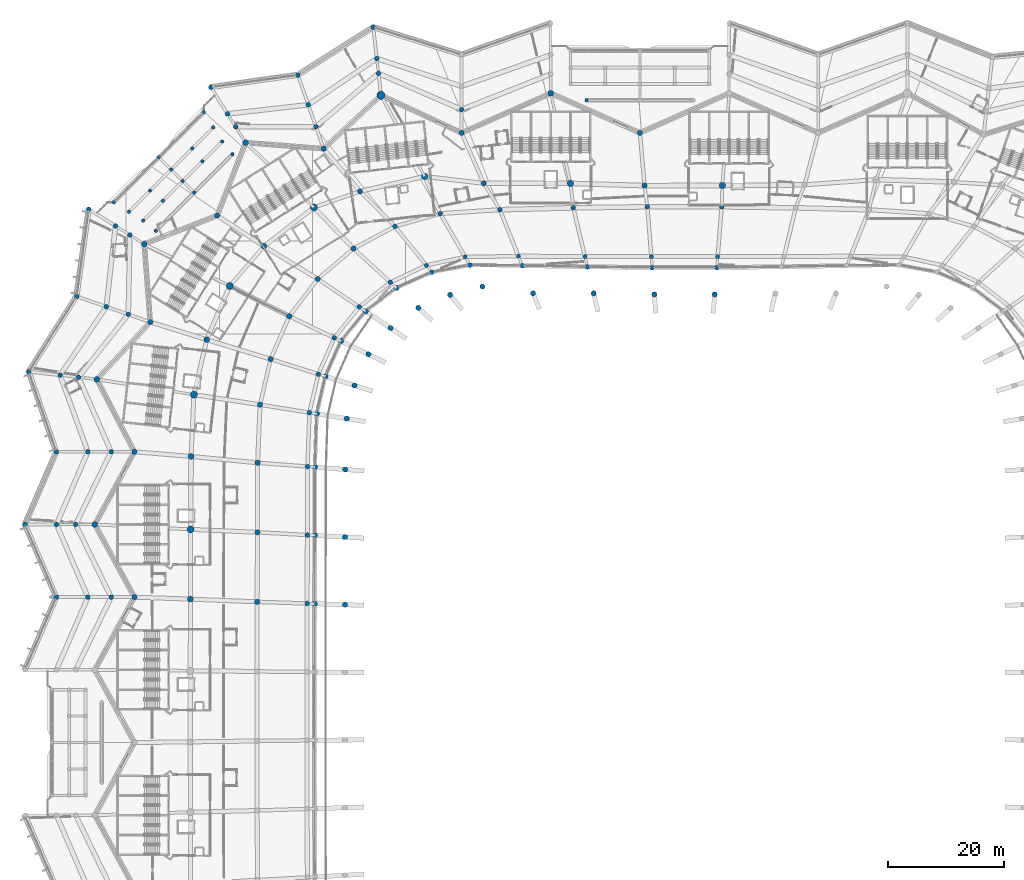
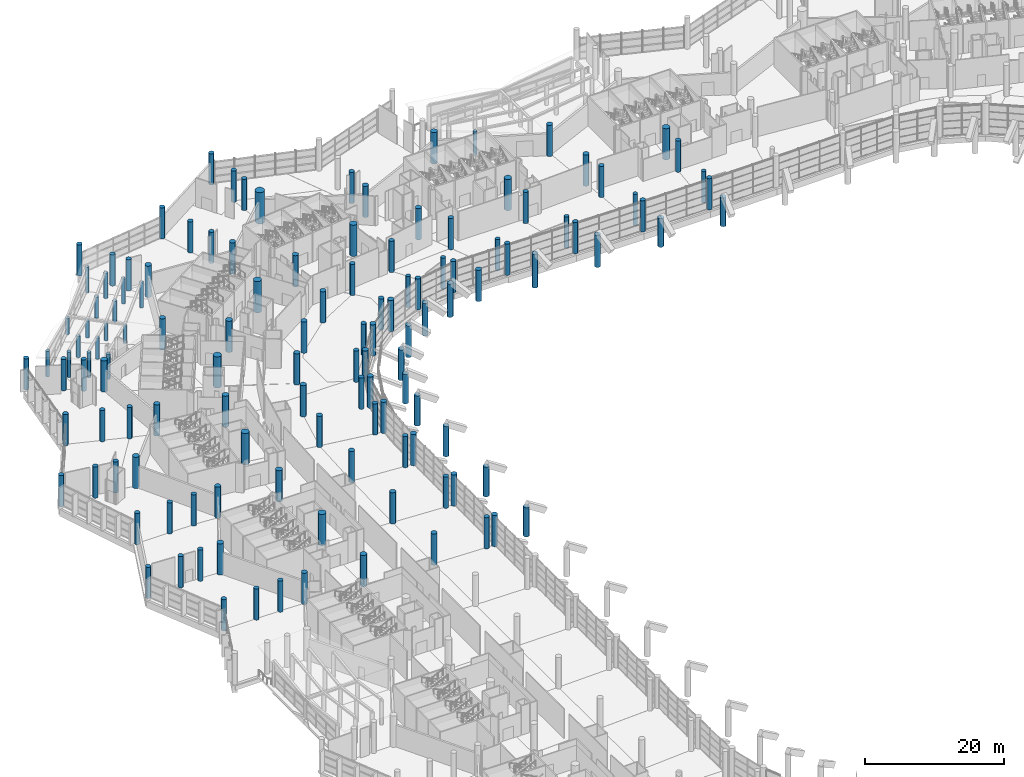
# One storey, part 5 of 271: 128 columns.
"""IFC4 building model written with IfcOpenShell, lengths in metres."""

import ifcopenshell
import ifcopenshell.guid

model = None  # the IFC model being written
_history = None  # IfcOwnerHistory: only IFC2X3 demands one
_inside = {}  # id of a spatial element -> (the spatial element, [elements in it])
_under = {}  # id of a project, library or spatial element -> (it, [spatial elements below it])
_declared = {}  # id of a project -> (the project, [libraries it declares])
_typed = {}  # id of a type object -> (the type object, [elements of that type])
_made_of = {}  # id of a material, layer set ... -> (it, [elements and type objects made of it])


def new_model(schema):
    """Start an empty IFC model of exactly this schema.

    Asked for "IFC4X3", IfcOpenShell would pick the latest addendum, in which some entities
    have other attributes; the version numbers below select the first issue.
    IFC2X3 requires an IfcOwnerHistory on every rooted entity: one is made here for all.
    """
    global model, _history
    if schema == "IFC4X3":
        model = ifcopenshell.file(schema_version=(4, 3, 0, 0))
    else:
        model = ifcopenshell.file(schema=schema)
    _inside.clear()
    _under.clear()
    _declared.clear()
    _typed.clear()
    _made_of.clear()
    _history = None
    if model.schema == "IFC2X3":
        org = make("IfcOrganization", Name="unknown")
        user = make(
            "IfcPersonAndOrganization",
            ThePerson=make("IfcPerson", FamilyName="unknown"),
            TheOrganization=org,
        )
        app = make(
            "IfcApplication",
            ApplicationDeveloper=org,
            Version="unknown",
            ApplicationFullName="unknown",
            ApplicationIdentifier="unknown",
        )
        _history = make(
            "IfcOwnerHistory",
            OwningUser=user,
            OwningApplication=app,
            ChangeAction="ADDED",
            CreationDate=0,
        )
    return model


def make(cls, **values):
    """One entity of the class cls with the attributes given. An attribute that is None is left unset."""
    return model.create_entity(
        cls, **{name: value for name, value in values.items() if value is not None}
    )


def rooted(cls, **values):
    """An entity with a GlobalId (a new one), such as an element, a storey or a relation."""
    return make(cls, GlobalId=ifcopenshell.guid.new(), OwnerHistory=_history, **values)


def si_unit(unit_type, name, prefix=None):
    """IfcSIUnit, for example si_unit("LENGTHUNIT", "METRE", prefix="MILLI")."""
    return make("IfcSIUnit", UnitType=unit_type, Prefix=prefix, Name=name)


def assignment(units):
    """IfcUnitAssignment: the units of a project."""
    return None if units is None else make("IfcUnitAssignment", Units=units)


def point(xyz):
    """IfcCartesianPoint."""
    return None if xyz is None else make("IfcCartesianPoint", Coordinates=xyz)


def direction(xyz):
    """IfcDirection."""
    return None if xyz is None else make("IfcDirection", DirectionRatios=xyz)


def frame(location, z_axis=None, x_axis=None):
    """IfcAxis2Placement3D, a coordinate frame: its origin and axes. An axis left out is left unset."""
    return make(
        "IfcAxis2Placement3D",
        Location=point(location),
        Axis=direction(z_axis),
        RefDirection=direction(x_axis),
    )


def frame_2d(location, x_axis=None):
    """IfcAxis2Placement2D, a coordinate frame in the plane: its origin and x axis."""
    return make(
        "IfcAxis2Placement2D", Location=point(location), RefDirection=direction(x_axis)
    )


def origin():
    """The frame at (0, 0, 0) with its axes left unset."""
    return frame((0.0, 0.0, 0.0))


def origin_2d():
    """The frame at (0, 0) in the plane with its x axis left unset."""
    return frame_2d((0.0, 0.0))


def place(relative_to, where):
    """IfcLocalPlacement: puts the frame where relative to a parent placement (None: the world)."""
    return make(
        "IfcLocalPlacement", PlacementRelTo=relative_to, RelativePlacement=where
    )


def context(
    kind, dimensions, precision=None, world=None, true_north=None, identifier=None
):
    """IfcGeometricRepresentationContext, for example the 3D "Model" context."""
    return make(
        "IfcGeometricRepresentationContext",
        ContextIdentifier=identifier,
        ContextType=kind,
        CoordinateSpaceDimension=dimensions,
        Precision=precision,
        WorldCoordinateSystem=world,
        TrueNorth=true_north,
    )


def subcontext(parent, identifier, kind, view, scale=None):
    """IfcGeometricRepresentationSubContext, for example "Body" below "Model"."""
    return make(
        "IfcGeometricRepresentationSubContext",
        ContextIdentifier=identifier,
        ContextType=kind,
        ParentContext=parent,
        TargetScale=scale,
        TargetView=view,
    )


def project(units=None, contexts=None):
    """IfcProject with its units and contexts."""
    return rooted(
        "IfcProject",
        Name="project",
        RepresentationContexts=contexts,
        UnitsInContext=assignment(units),
    )


def spatial(cls, under=None, at=None, **own):
    """A site, building, storey or space (cls), placed at a placement, below another one or the project."""
    s = rooted(cls, ObjectPlacement=at, **own)
    if under is not None:
        _under.setdefault(under.id(), (under, []))[1].append(s)
    return s


def profile(cls, at=None, kind="AREA", **sizes):
    """A parametric profile (cls). Its sizes go by their IFC names, for example OverallWidth=200.0."""
    return make(cls, ProfileType=kind, Position=at, **sizes)


def circle(**sizes):
    """IfcCircleProfileDef."""
    return profile("IfcCircleProfileDef", **sizes)


def extrude(swept, where, along, depth):
    """IfcExtrudedAreaSolid: the profile swept, set in the frame where, extruded along a direction by depth."""
    return make(
        "IfcExtrudedAreaSolid",
        SweptArea=swept,
        Position=where,
        ExtrudedDirection=direction(along),
        Depth=depth,
    )


def shape(context_of_items, identifier, shape_type, items):
    """IfcShapeRepresentation: the items that make up one representation, for example the "Body"."""
    return make(
        "IfcShapeRepresentation",
        ContextOfItems=context_of_items,
        RepresentationIdentifier=identifier,
        RepresentationType=shape_type,
        Items=items,
    )


def material(Name=None, Category=None):
    """IfcMaterial."""
    return make("IfcMaterial", Name=Name, Category=Category)


def material_profile(
    of_material, cross_section, Name=None, Category=None, Priority=None
):
    """IfcMaterialProfile: a cross section and its material."""
    return make(
        "IfcMaterialProfile",
        Name=Name,
        Material=of_material,
        Profile=cross_section,
        Priority=Priority,
        Category=Category,
    )


def profile_set(profiles, Name=None, composite=None):
    """IfcMaterialProfileSet."""
    return make(
        "IfcMaterialProfileSet",
        Name=Name,
        MaterialProfiles=profiles,
        CompositeProfile=composite,
    )


def made_of(thing, what):
    """Note that an element or type object is made of a material, layer set ...; save() writes the relation."""
    if what is not None:
        _made_of.setdefault(what.id(), (what, []))[1].append(thing)
    return thing


def type_object(cls, material=None, **own):
    """A type object (cls), such as IfcWallType, which elements share."""
    return made_of(rooted(cls, **own), material)


def element(
    cls,
    number,
    at=None,
    inside=None,
    cuts=None,
    type_object=None,
    material=None,
    context=None,
    identifier="Body",
    shape_type=None,
    held_by="IfcProductDefinitionShape",
    body=None,
    shapes=None,
    **own,
):
    """One element of the class cls, such as IfcWall. Its Tag is "e" and its number.

    at: its placement. inside: the storey or other place that contains it. cuts: it is an
    opening in that element (IfcRelVoidsElement). A single representation is given by context,
    identifier, shape_type and body (its items); several are given by shapes. held_by: the class
    of the entity that holds the representations. save() writes the other relations.
    """
    e = rooted(cls, Tag="e%d" % number, ObjectPlacement=at, **own)
    if body is not None:
        shapes = [shape(context, identifier, shape_type, body)]
    if shapes is not None:
        e.Representation = make(held_by, Representations=shapes)
    if inside is not None:
        _inside.setdefault(inside.id(), (inside, []))[1].append(e)
    if cuts is not None:
        rooted(
            "IfcRelVoidsElement", RelatingBuildingElement=cuts, RelatedOpeningElement=e
        )
    if type_object is not None:
        _typed.setdefault(type_object.id(), (type_object, []))[1].append(e)
    return made_of(e, material)


def aggregate(whole, parts):
    """IfcRelAggregates: a whole, such as a stair, and the parts it consists of."""
    return rooted("IfcRelAggregates", RelatingObject=whole, RelatedObjects=parts)


def save(model, path):
    """Write the relations noted so far, then the file.

    IfcRelAggregates (storeys below a building ...), IfcRelContainedInSpatialStructure (elements
    in a storey), IfcRelDefinesByType, IfcRelAssociatesMaterial and IfcRelDeclares: one each for
    every whole, place, type object, material and project.
    """
    for whole, parts in _under.values():
        aggregate(whole, parts)
    for where, things in _inside.values():
        rooted(
            "IfcRelContainedInSpatialStructure",
            RelatedElements=things,
            RelatingStructure=where,
        )
    for kind, things in _typed.values():
        rooted("IfcRelDefinesByType", RelatedObjects=things, RelatingType=kind)
    for what, things in _made_of.values():
        rooted("IfcRelAssociatesMaterial", RelatedObjects=things, RelatingMaterial=what)
    for by, libraries in _declared.values():
        rooted("IfcRelDeclares", RelatingContext=by, RelatedDefinitions=libraries)
    model.write(path)


model = new_model("IFC4")

# Units and contexts
model_context = context("Model", 3, precision=1e-05, world=origin(), true_north=direction((0.0, 1.0)))
body_context = subcontext(model_context, "Body", "Model", "MODEL_VIEW")
ifc_project = project(units=[si_unit("LENGTHUNIT", "METRE"), si_unit("AREAUNIT", "SQUARE_METRE"), si_unit("VOLUMEUNIT", "CUBIC_METRE"), si_unit("PLANEANGLEUNIT", "RADIAN"), si_unit("MASSUNIT", "GRAM", prefix="KILO")], contexts=[model_context])

# Site, building, storey
site_placement = place(None, origin())
site = spatial("IfcSite", under=ifc_project, at=site_placement, CompositionType="ELEMENT")
building_placement = place(site_placement, origin())
building = spatial("IfcBuilding", under=site, at=building_placement, Name="Meseta Stadium", CompositionType="ELEMENT")
storey_placement = place(building_placement, frame((0.0, 0.0, 6.5)))
storey = spatial("IfcBuildingStorey", under=building, at=storey_placement, Name="L01", CompositionType="ELEMENT", Elevation=6.5)

# Columns
ifc_material_1 = material(Name="Concrete C40/50", Category="concrete")
ifc_material_profile_1 = material_profile(ifc_material_1, circle(Radius=0.300048828125, at=origin_2d()), Name="RC D600")
ifc_profile_set_1 = profile_set([ifc_material_profile_1], Name="Concrete C40/50")
column_type_1 = type_object("IfcColumnType", Name="Gate column D600", PredefinedType="COLUMN", material=ifc_profile_set_1)
column_1_placement = place(storey_placement, frame((-16.85009765625, 104.199951171875, 0.0), z_axis=(0.0, 0.0, 1.0), x_axis=(1.0, 0.0, 0.0)))
element("IfcColumn", 1, at=column_1_placement, inside=storey, type_object=column_type_1, Name="Gate 3 column L01", PredefinedType="COLUMN", context=body_context, shape_type="SweptSolid", body=[
    extrude(circle(Radius=0.300048828125, at=origin_2d()), origin(), (0.0, 0.0, 1.0), 4.06689453125),
])
column_2_placement = place(storey_placement, frame((-77.74169921875, 94.90869140625, 0.0), z_axis=(0.0, 0.0, 1.0), x_axis=(1.0, 0.0, 0.0)))
element("IfcColumn", 2, at=column_2_placement, inside=storey, type_object=column_type_1, Name="Gate 4 column L01", PredefinedType="COLUMN", context=body_context, shape_type="SweptSolid", body=[
    extrude(circle(Radius=0.300048828125, at=origin_2d()), origin(), (0.0, 0.0, 1.0), 4.409912109375),
])
column_3_placement = place(storey_placement, frame((-84.3251953125, 88.3251953125, 0.0), z_axis=(0.0, 0.0, 1.0), x_axis=(1.0, 0.0, 0.0)))
element("IfcColumn", 3, at=column_3_placement, inside=storey, type_object=column_type_1, Name="Gate 4 column L01", PredefinedType="COLUMN", context=body_context, shape_type="SweptSolid", body=[
    extrude(circle(Radius=0.300048828125, at=origin_2d()), origin(), (0.0, 0.0, 1.0), 3.106689453125),
])
column_4_placement = place(storey_placement, frame((-90.90869140625, 81.74169921875, 0.0), z_axis=(0.0, 0.0, 1.0), x_axis=(1.0, 0.0, 0.0)))
element("IfcColumn", 4, at=column_4_placement, inside=storey, type_object=column_type_1, Name="Gate 4 column L01", PredefinedType="COLUMN", context=body_context, shape_type="SweptSolid", body=[
    extrude(circle(Radius=0.300048828125, at=origin_2d()), origin(), (0.0, 0.0, 1.0), 4.409912109375),
])
column_5_placement = place(storey_placement, frame((-79.510009765625, 97.100341796875, 0.0), z_axis=(0.0, 0.0, 1.0), x_axis=(1.0, 0.0, 0.0)))
element("IfcColumn", 5, at=column_5_placement, inside=storey, type_object=column_type_1, Name="Gate 4 column L01", PredefinedType="COLUMN", context=body_context, shape_type="SweptSolid", body=[
    extrude(circle(Radius=0.300048828125, at=origin_2d()), origin(), (0.0, 0.0, 1.0), 4.39599609375),
])
column_6_placement = place(storey_placement, frame((-82.907470703125, 93.70263671875, 0.0), z_axis=(0.0, 0.0, 1.0), x_axis=(1.0, 0.0, 0.0)))
element("IfcColumn", 6, at=column_6_placement, inside=storey, type_object=column_type_1, Name="Gate 4 column L01", PredefinedType="COLUMN", context=body_context, shape_type="SweptSolid", body=[
    extrude(circle(Radius=0.300048828125, at=origin_2d()), origin(), (0.0, 0.0, 1.0), 3.723388671875),
])
column_7_placement = place(storey_placement, frame((-86.30517578125, 90.30517578125, 0.0), z_axis=(0.0, 0.0, 1.0), x_axis=(1.0, 0.0, 0.0)))
element("IfcColumn", 7, at=column_7_placement, inside=storey, type_object=column_type_1, Name="Gate 4 column L01", PredefinedType="COLUMN", context=body_context, shape_type="SweptSolid", body=[
    extrude(circle(Radius=0.300048828125, at=origin_2d()), origin(), (0.0, 0.0, 1.0), 3.050537109375),
])
column_8_placement = place(storey_placement, frame((-89.70263671875, 86.907470703125, 0.0), z_axis=(0.0, 0.0, 1.0), x_axis=(1.0, 0.0, 0.0)))
element("IfcColumn", 8, at=column_8_placement, inside=storey, type_object=column_type_1, Name="Gate 4 column L01", PredefinedType="COLUMN", context=body_context, shape_type="SweptSolid", body=[
    extrude(circle(Radius=0.300048828125, at=origin_2d()), origin(), (0.0, 0.0, 1.0), 3.723388671875),
])
column_9_placement = place(storey_placement, frame((-93.100341796875, 83.510009765625, 0.0), z_axis=(0.0, 0.0, 1.0), x_axis=(1.0, 0.0, 0.0)))
element("IfcColumn", 9, at=column_9_placement, inside=storey, type_object=column_type_1, Name="Gate 4 column L01", PredefinedType="COLUMN", context=body_context, shape_type="SweptSolid", body=[
    extrude(circle(Radius=0.300048828125, at=origin_2d()), origin(), (0.0, 0.0, 1.0), 4.39599609375),
])
column_10_placement = place(storey_placement, frame((-81.037841796875, 99.531982421875, 0.0), z_axis=(0.0, 0.0, 1.0), x_axis=(1.0, 0.0, 0.0)))
element("IfcColumn", 10, at=column_10_placement, inside=storey, type_object=column_type_1, Name="Gate 4 column L01", PredefinedType="COLUMN", context=body_context, shape_type="SweptSolid", body=[
    extrude(circle(Radius=0.300048828125, at=origin_2d()), origin(), (0.0, 0.0, 1.0), 4.429443359375),
])
column_11_placement = place(storey_placement, frame((-84.661376953125, 95.908447265625, 0.0), z_axis=(0.0, 0.0, 1.0), x_axis=(1.0, 0.0, 0.0)))
element("IfcColumn", 11, at=column_11_placement, inside=storey, type_object=column_type_1, Name="Gate 4 column L01", PredefinedType="COLUMN", context=body_context, shape_type="SweptSolid", body=[
    extrude(circle(Radius=0.300048828125, at=origin_2d()), origin(), (0.0, 0.0, 1.0), 3.7119140625),
])
column_12_placement = place(storey_placement, frame((-88.284912109375, 92.284912109375, 0.0), z_axis=(0.0, 0.0, 1.0), x_axis=(1.0, 0.0, 0.0)))
element("IfcColumn", 12, at=column_12_placement, inside=storey, type_object=column_type_1, Name="Gate 4 column L01", PredefinedType="COLUMN", context=body_context, shape_type="SweptSolid", body=[
    extrude(circle(Radius=0.300048828125, at=origin_2d()), origin(), (0.0, 0.0, 1.0), 2.99462890625),
])
column_13_placement = place(storey_placement, frame((-91.908447265625, 88.661376953125, 0.0), z_axis=(0.0, 0.0, 1.0), x_axis=(1.0, 0.0, 0.0)))
element("IfcColumn", 13, at=column_13_placement, inside=storey, type_object=column_type_1, Name="Gate 4 column L01", PredefinedType="COLUMN", context=body_context, shape_type="SweptSolid", body=[
    extrude(circle(Radius=0.300048828125, at=origin_2d()), origin(), (0.0, 0.0, 1.0), 3.7119140625),
])
column_14_placement = place(storey_placement, frame((-95.531982421875, 85.037841796875, 0.0), z_axis=(0.0, 0.0, 1.0), x_axis=(1.0, 0.0, 0.0)))
element("IfcColumn", 14, at=column_14_placement, inside=storey, type_object=column_type_1, Name="Gate 4 column L01", PredefinedType="COLUMN", context=body_context, shape_type="SweptSolid", body=[
    extrude(circle(Radius=0.300048828125, at=origin_2d()), origin(), (0.0, 0.0, 1.0), 4.429443359375),
])
column_15_placement = place(storey_placement, frame((-82.675048828125, 102.1376953125, 0.0), z_axis=(0.0, 0.0, 1.0), x_axis=(1.0, 0.0, 0.0)))
element("IfcColumn", 15, at=column_15_placement, inside=storey, type_object=column_type_1, Name="Gate 4 column L01", PredefinedType="COLUMN", context=body_context, shape_type="SweptSolid", body=[
    extrude(circle(Radius=0.300048828125, at=origin_2d()), origin(), (0.0, 0.0, 1.0), 4.46533203125),
])
column_16_placement = place(storey_placement, frame((-90.40625, 94.40625, 0.0), z_axis=(0.0, 0.0, 1.0), x_axis=(1.0, 0.0, 0.0)))
element("IfcColumn", 16, at=column_16_placement, inside=storey, type_object=column_type_1, Name="Gate 4 column L01", PredefinedType="COLUMN", context=body_context, shape_type="SweptSolid", body=[
    extrude(circle(Radius=0.300048828125, at=origin_2d()), origin(), (0.0, 0.0, 1.0), 2.9345703125),
])
column_17_placement = place(storey_placement, frame((-98.1376953125, 86.675048828125, 0.0), z_axis=(0.0, 0.0, 1.0), x_axis=(1.0, 0.0, 0.0)))
element("IfcColumn", 17, at=column_17_placement, inside=storey, type_object=column_type_1, Name="Gate 4 column L01", PredefinedType="COLUMN", context=body_context, shape_type="SweptSolid", body=[
    extrude(circle(Radius=0.300048828125, at=origin_2d()), origin(), (0.0, 0.0, 1.0), 4.46533203125),
])
ifc_material_2 = material(Name="Concrete C40/50", Category="concrete")
ifc_material_profile_2 = material_profile(ifc_material_2, circle(Radius=0.5, at=origin_2d()), Name="RC D1000")
ifc_profile_set_2 = profile_set([ifc_material_profile_2], Name="Concrete C40/50")
column_type_2 = type_object("IfcColumnType", Name="RC column D1000", PredefinedType="COLUMN", material=ifc_profile_set_2)
for number, where, z_axis, x_axis, name in (
    (18, (-23.0, 105.39990234375, 0.0), (0.0, 0.0, 1.0), (1.0, 0.0, 0.0), "Column C10 L01 frame 20 line R"),
    (19, (-75.474609375, 96.908447265625, 0.0), (0.0, 0.0, 1.0), (1.0, 0.0, 0.0), "Column C10 L01 frame 24 line R"),
    (20, (-72.31201171875, 79.091064453125, 0.0), (0.0, 0.0, 1.0), (1.0, 0.0, 0.0), "Column C10 L01 frame 25 line P"),
    (21, (-92.908447265625, 79.474609375, 0.0), (0.0, 0.0, 1.0), (1.0, 0.0, 0.0), "Column C10 L01 frame 26 line R"),
    (22, (-82.169189453125, 63.03369140625, 0.0), (0.0, 0.0, 1.0), (1.0, 0.0, 0.0), "Column C10 L01 frame 27 line P"),
    (23, (-101.0517578125, 56.202880859375, 0.0), (0.0, 0.0, 1.0), (1.0, 0.0, 0.0), "Column C10 L01 frame 28 line R"),
    (24, (-84.85400390625, 42.948486328125, 0.0), (0.0, 0.0, 1.0), (1.0, 0.0, 0.0), "Column C10 L01 frame 29 line P"),
    (25, (-101.39990234375, 31.25, 0.0), (0.0, 0.0, 1.0), (1.0, 0.0, 0.0), "Column C10 L01 frame 30 line R"),
    (26, (-84.97314453125, 18.41064453125, 0.0), (0.0, 0.0, 1.0), (1.0, 0.0, 0.0), "Column C10 L01 frame 31 line P"),
):
    element("IfcColumn", number, at=place(storey_placement, frame(where, z_axis=z_axis, x_axis=x_axis)), inside=storey, type_object=column_type_2, Name=name, PredefinedType="COLUMN", context=body_context, shape_type="SweptSolid", body=[
        extrude(circle(Radius=0.5, at=origin_2d()), origin(), (0.0, 0.0, 1.0), 5.5),
    ])
ifc_material_3 = material(Name="Concrete C40/50", Category="concrete")
ifc_material_profile_3 = material_profile(ifc_material_3, circle(Radius=0.550048828125, at=origin_2d()), Name="RC D1100")
ifc_profile_set_3 = profile_set([ifc_material_profile_3], Name="Concrete C40/50")
column_type_3 = type_object("IfcColumnType", Name="RC column D1100", PredefinedType="COLUMN", material=ifc_profile_set_3)
for number, where, z_axis, x_axis, name in (
    (27, (6.51708984375, 89.54638671875, 0.0), (0.0, 0.0, 1.0), (1.0, 0.0, 0.0), "Column C11 L01 frame 18 line P"),
    (28, (-19.62744140625, 89.90380859375, 0.0), (0.0, 0.0, 1.0), (1.0, 0.0, 0.0), "Column C11 L01 frame 20 line P"),
    (29, (-44.6826171875, 91.0908203125, 0.0), (0.0, 0.0, 1.0), (1.0, 0.0, 0.0), "Column C11 L01 frame 22 line P"),
):
    element("IfcColumn", number, at=place(storey_placement, frame(where, z_axis=z_axis, x_axis=x_axis)), inside=storey, type_object=column_type_3, Name=name, PredefinedType="COLUMN", context=body_context, shape_type="SweptSolid", body=[
        extrude(circle(Radius=0.550048828125, at=origin_2d()), origin(), (0.0, 0.0, 1.0), 5.5),
    ])
ifc_material_4 = material(Name="Concrete C40/50", Category="concrete")
ifc_material_profile_4 = material_profile(ifc_material_4, circle(Radius=0.60009765625, at=origin_2d()), Name="RC D1200")
ifc_profile_set_4 = profile_set([ifc_material_profile_4], Name="Concrete C40/50")
column_type_4 = type_object("IfcColumnType", Name="RC column D1200", PredefinedType="COLUMN", material=ifc_profile_set_4)
for number, where, z_axis, x_axis, name in (
    (30, (-63.731201171875, 85.77099609375, 0.0), (0.0, 0.0, 1.0), (1.0, 0.0, 0.0), "Column C12 L01 frame 24 line P"),
    (31, (-78.197998046875, 72.27197265625, 0.0), (0.0, 0.0, 1.0), (1.0, 0.0, 0.0), "Column C12 L01 frame 26 line P"),
    (32, (-84.36328125, 53.5654296875, 0.0), (0.0, 0.0, 1.0), (1.0, 0.0, 0.0), "Column C12 L01 frame 28 line P"),
    (33, (-84.940673828125, 30.404052734375, 0.0), (0.0, 0.0, 1.0), (1.0, 0.0, 0.0), "Column C12 L01 frame 30 line P"),
):
    element("IfcColumn", number, at=place(storey_placement, frame(where, z_axis=z_axis, x_axis=x_axis)), inside=storey, type_object=column_type_4, Name=name, PredefinedType="COLUMN", context=body_context, shape_type="SweptSolid", body=[
        extrude(circle(Radius=0.60009765625, at=origin_2d()), origin(), (0.0, 0.0, 1.0), 5.5),
    ])
ifc_material_5 = material(Name="Concrete C40/50", Category="concrete")
ifc_material_profile_5 = material_profile(ifc_material_5, circle(Radius=0.699951171875, at=origin_2d()), Name="RC D1400")
ifc_profile_set_5 = profile_set([ifc_material_profile_5], Name="Concrete C40/50")
column_type_5 = type_object("IfcColumnType", Name="RC column D1400", PredefinedType="COLUMN", material=ifc_profile_set_5)
column_18_placement = place(storey_placement, frame((-52.202880859375, 105.0517578125, 0.0), z_axis=(0.0, 0.0, 1.0), x_axis=(1.0, 0.0, 0.0)))
element("IfcColumn", 34, at=column_18_placement, inside=storey, type_object=column_type_5, Name="Column C14 L01 frame 22 line R", PredefinedType="COLUMN", context=body_context, shape_type="SweptSolid", body=[
    extrude(circle(Radius=0.699951171875, at=origin_2d()), origin(), (0.0, 0.0, 1.0), 5.5),
])
ifc_material_6 = material(Name="Concrete C40/50", Category="concrete")
ifc_material_profile_6 = material_profile(ifc_material_6, circle(Radius=0.35009765625, at=origin_2d()), Name="RC D700")
ifc_profile_set_6 = profile_set([ifc_material_profile_6], Name="Concrete C40/50")
column_type_6 = type_object("IfcColumnType", Name="RC column D700", PredefinedType="COLUMN", material=ifc_profile_set_6)
for number, where, z_axis, x_axis, name in (
    (35, (5.70654296875, 77.3037109375, 0.0), (0.0, 0.0, 1.0), (1.0, 0.0, 0.0), "Column C7 L01 frame 18 line D"),
    (36, (-5.70654296875, 77.3037109375, 0.0), (0.0, 0.0, 1.0), (1.0, 0.0, 0.0), "Column C7 L01 frame 19 line D"),
    (37, (-17.126708984375, 77.33203125, 0.0), (0.0, 0.0, 1.0), (1.0, 0.0, 0.0), "Column C7 L01 frame 20 line D"),
    (38, (-28.564697265625, 77.38330078125, 0.0), (0.0, 0.0, 1.0), (1.0, 0.0, 0.0), "Column C7 L01 frame 21 line D"),
    (39, (-37.711669921875, 77.26171875, 0.0), (0.0, 0.0, 1.0), (1.0, 0.0, 0.0), "Column C7 L01 frame 22 line D"),
    (40, (-44.39013671875, 75.806396484375, 0.0), (0.0, 0.0, 1.0), (1.0, 0.0, 0.0), "Column C7 L01 frame 23 line D"),
):
    element("IfcColumn", number, at=place(storey_placement, frame(where, z_axis=z_axis, x_axis=x_axis)), inside=storey, type_object=column_type_6, Name=name, PredefinedType="COLUMN", context=body_context, shape_type="SweptSolid", body=[
        extrude(circle(Radius=0.35009765625, at=origin_2d()), origin(), (0.0, 0.0, 1.0), 5.5),
    ])
ifc_material_7 = material(Name="Concrete C40/50", Category="concrete")
ifc_material_profile_7 = material_profile(ifc_material_7, circle(Radius=0.39990234375, at=origin_2d()), Name="RC D800")
ifc_profile_set_7 = profile_set([ifc_material_profile_7], Name="Concrete C40/50")
column_type_7 = type_object("IfcColumnType", Name="RC column D800", PredefinedType="COLUMN", material=ifc_profile_set_7)
for number, where, z_axis, x_axis, name in (
    (41, (5.556640625, 75.4150390625, 0.0), (0.0, 0.0, 1.0), (1.0, 0.0, 0.0), "Column C8 L01 frame 18 line C"),
    (42, (6.386962890625, 85.876708984375, 0.0), (0.0, 0.0, 1.0), (1.0, 0.0, 0.0), "Column C8 L01 frame 18 line E"),
    (43, (-5.556640625, 75.4150390625, 0.0), (0.0, 0.0, 1.0), (1.0, 0.0, 0.0), "Column C8 L01 frame 19 line C"),
    (44, (-6.386962890625, 85.876708984375, 0.0), (0.0, 0.0, 1.0), (1.0, 0.0, 0.0), "Column C8 L01 frame 19 line E"),
    (45, (-16.697509765625, 75.529541015625, 0.0), (0.0, 0.0, 1.0), (1.0, 0.0, 0.0), "Column C8 L01 frame 20 line C"),
    (46, (-19.11865234375, 85.6982421875, 0.0), (0.0, 0.0, 1.0), (1.0, 0.0, 0.0), "Column C8 L01 frame 20 line E"),
    (47, (-27.910888671875, 75.735595703125, 0.0), (0.0, 0.0, 1.0), (1.0, 0.0, 0.0), "Column C8 L01 frame 21 line C"),
    (48, (-31.73681640625, 85.376708984375, 0.0), (0.0, 0.0, 1.0), (1.0, 0.0, 0.0), "Column C8 L01 frame 21 line E"),
    (49, (-36.8857421875, 75.8330078125, 0.0), (0.0, 0.0, 1.0), (1.0, 0.0, 0.0), "Column C8 L01 frame 22 line C"),
    (50, (-42.015625, 84.707275390625, 0.0), (0.0, 0.0, 1.0), (1.0, 0.0, 0.0), "Column C8 L01 frame 22 line E"),
    (51, (-43.430419921875, 74.617431640625, 0.0), (0.0, 0.0, 1.0), (1.0, 0.0, 0.0), "Column C8 L01 frame 23 line C"),
    (52, (-49.791259765625, 82.498779296875, 0.0), (0.0, 0.0, 1.0), (1.0, 0.0, 0.0), "Column C8 L01 frame 23 line E"),
    (53, (-50.571533203125, 72.888671875, 0.0), (0.0, 0.0, 1.0), (1.0, 0.0, 0.0), "Column C8 L01 frame 24 line D"),
    (54, (-55.940185546875, 68.657958984375, 0.0), (0.0, 0.0, 1.0), (1.0, 0.0, 0.0), "Column C8 L01 frame 25 line D"),
    (55, (-60.22216796875, 63.33056640625, 0.0), (0.0, 0.0, 1.0), (1.0, 0.0, 0.0), "Column C8 L01 frame 26 line D"),
    (56, (-62.963623046875, 57.1044921875, 0.0), (0.0, 0.0, 1.0), (1.0, 0.0, 0.0), "Column C8 L01 frame 27 line D"),
    (57, (-64.501708984375, 50.479736328125, 0.0), (0.0, 0.0, 1.0), (1.0, 0.0, 0.0), "Column C8 L01 frame 28 line D"),
    (58, (-64.829833984375, 41.2041015625, 0.0), (0.0, 0.0, 1.0), (1.0, 0.0, 0.0), "Column C8 L01 frame 29 line D"),
    (59, (-64.8642578125, 29.433349609375, 0.0), (0.0, 0.0, 1.0), (1.0, 0.0, 0.0), "Column C8 L01 frame 30 line D"),
    (60, (-64.886962890625, 17.66064453125, 0.0), (0.0, 0.0, 1.0), (1.0, 0.0, 0.0), "Column C8 L01 frame 31 line D"),
    (61, (-38.333251953125, 102.60009765625, 0.0), (0.0, 0.0, 1.0), (1.0, 0.0, 0.0), "Ring column C8 L01 frame 21 line M"),
    (62, (-52.626220703125, 108.80810546875, 0.0), (0.0, 0.0, 1.0), (1.0, 0.0, 0.0), "Ring column C8 L01 frame 22 line M"),
    (63, (-52.9150390625, 111.372314453125, 0.0), (0.0, 0.0, 1.0), (1.0, 0.0, 0.0), "Ring column C8 L01 frame 22 line Q"),
    (64, (-53.51953125, 116.73828125, 0.0), (0.0, 0.0, 1.0), (1.0, 0.0, 0.0), "Ring column C8 L01 frame 22 line O"),
    (65, (-63.372802734375, 99.648193359375, 0.0), (0.0, 0.0, 1.0), (1.0, 0.0, 0.0), "Ring column C8 L01 frame 23 line M"),
    (66, (-64.69384765625, 103.423828125, 0.0), (0.0, 0.0, 1.0), (1.0, 0.0, 0.0), "Ring column C8 L01 frame 23 line Q"),
    (67, (-66.477294921875, 108.520751953125, 0.0), (0.0, 0.0, 1.0), (1.0, 0.0, 0.0), "Ring column C8 L01 frame 23 line O"),
    (68, (-77.187255859375, 99.63427734375, 0.0), (0.0, 0.0, 1.0), (1.0, 0.0, 0.0), "Ring column C8 L01 frame 24 line M"),
    (69, (-78.580810546875, 101.851806640625, 0.0), (0.0, 0.0, 1.0), (1.0, 0.0, 0.0), "Ring column C8 L01 frame 24 line Q"),
    (70, (-81.45361328125, 106.42431640625, 0.0), (0.0, 0.0, 1.0), (1.0, 0.0, 0.0), "Ring column C8 L01 frame 24 line O"),
    (71, (-95.380126953125, 81.027587890625, 0.0), (0.0, 0.0, 1.0), (1.0, 0.0, 0.0), "Ring column C8 L01 frame 26 line M"),
    (72, (-97.851806640625, 82.580810546875, 0.0), (0.0, 0.0, 1.0), (1.0, 0.0, 0.0), "Ring column C8 L01 frame 26 line Q"),
    (73, (-102.42431640625, 85.45361328125, 0.0), (0.0, 0.0, 1.0), (1.0, 0.0, 0.0), "Ring column C8 L01 frame 26 line O"),
    (74, (-95.648193359375, 67.372802734375, 0.0), (0.0, 0.0, 1.0), (1.0, 0.0, 0.0), "Ring column C8 L01 frame 27 line M"),
    (75, (-99.423828125, 68.69384765625, 0.0), (0.0, 0.0, 1.0), (1.0, 0.0, 0.0), "Ring column C8 L01 frame 27 line Q"),
    (76, (-104.520751953125, 70.477294921875, 0.0), (0.0, 0.0, 1.0), (1.0, 0.0, 0.0), "Ring column C8 L01 frame 27 line O"),
    (77, (-104.2119140625, 56.558837890625, 0.0), (0.0, 0.0, 1.0), (1.0, 0.0, 0.0), "Ring column C8 L01 frame 28 line M"),
    (78, (-107.372314453125, 56.9150390625, 0.0), (0.0, 0.0, 1.0), (1.0, 0.0, 0.0), "Ring column C8 L01 frame 28 line Q"),
    (79, (-112.73828125, 57.51953125, 0.0), (0.0, 0.0, 1.0), (1.0, 0.0, 0.0), "Ring column C8 L01 frame 28 line O"),
    (80, (-98.60009765625, 43.75, 0.0), (0.0, 0.0, 1.0), (1.0, 0.0, 0.0), "Ring column C8 L01 frame 29 line M"),
    (81, (-102.60009765625, 43.75, 0.0), (0.0, 0.0, 1.0), (1.0, 0.0, 0.0), "Ring column C8 L01 frame 29 line Q"),
    (82, (-108.0, 43.75, 0.0), (0.0, 0.0, 1.0), (1.0, 0.0, 0.0), "Ring column C8 L01 frame 29 line O"),
    (83, (-104.699951171875, 31.25, 0.0), (0.0, 0.0, 1.0), (1.0, 0.0, 0.0), "Ring column C8 L01 frame 30 line M"),
    (84, (-108.0, 31.25, 0.0), (0.0, 0.0, 1.0), (1.0, 0.0, 0.0), "Ring column C8 L01 frame 30 line Q"),
    (85, (-113.39990234375, 31.25, 0.0), (0.0, 0.0, 1.0), (1.0, 0.0, 0.0), "Ring column C8 L01 frame 30 line O"),
    (86, (-98.60009765625, 18.75, 0.0), (0.0, 0.0, 1.0), (1.0, 0.0, 0.0), "Ring column C8 L01 frame 31 line M"),
    (87, (-102.60009765625, 18.75, 0.0), (0.0, 0.0, 1.0), (1.0, 0.0, 0.0), "Ring column C8 L01 frame 31 line Q"),
    (88, (-108.0, 18.75, 0.0), (0.0, 0.0, 1.0), (1.0, 0.0, 0.0), "Ring column C8 L01 frame 31 line O"),
):
    element("IfcColumn", number, at=place(storey_placement, frame(where, z_axis=z_axis, x_axis=x_axis)), inside=storey, type_object=column_type_7, Name=name, PredefinedType="COLUMN", context=body_context, shape_type="SweptSolid", body=[
        extrude(circle(Radius=0.39990234375, at=origin_2d()), origin(), (0.0, 0.0, 1.0), 5.5),
    ])
ifc_material_8 = material(Name="Concrete C40/50", Category="concrete")
ifc_material_profile_8 = material_profile(ifc_material_8, circle(Radius=0.449951171875, at=origin_2d()), Name="RC D900")
ifc_profile_set_8 = profile_set([ifc_material_profile_8], Name="Concrete C40/50")
column_type_8 = type_object("IfcColumnType", Name="RC column D900", PredefinedType="COLUMN", material=ifc_profile_set_8)
for number, where, z_axis, x_axis, name in (
    (89, (5.1923828125, 70.823974609375, 0.0), (0.0, 0.0, 1.0), (1.0, 0.0, 0.0), "Column C9 L01 frame 18 line U"),
    (90, (-5.1923828125, 70.823974609375, 0.0), (0.0, 0.0, 1.0), (1.0, 0.0, 0.0), "Column C9 L01 frame 19 line U"),
):
    element("IfcColumn", number, at=place(storey_placement, frame(where, z_axis=z_axis, x_axis=x_axis)), inside=storey, type_object=column_type_8, Name=name, PredefinedType="COLUMN", context=body_context, shape_type="SweptSolid", body=[
        extrude(circle(Radius=0.449951171875, at=origin_2d()), origin(), (0.0, 0.0, 1.0), 5.0576171875),
    ])
for number, where, z_axis, x_axis, name in (
    (91, (-6.870849609375, 89.517822265625, 0.0), (0.0, 0.0, 1.0), (1.0, 0.0, 0.0), "Column C9 L01 frame 19 line P"),
    (92, (-7.666748046875, 98.60009765625, 0.0), (0.0, 0.0, 1.0), (1.0, 0.0, 0.0), "Column C9 L01 frame 19 line R"),
):
    element("IfcColumn", number, at=place(storey_placement, frame(where, z_axis=z_axis, x_axis=x_axis)), inside=storey, type_object=column_type_8, Name=name, PredefinedType="COLUMN", context=body_context, shape_type="SweptSolid", body=[
        extrude(circle(Radius=0.449951171875, at=origin_2d()), origin(), (0.0, 0.0, 1.0), 5.5),
    ])
column_19_placement = place(storey_placement, frame((-15.62109375, 71.0087890625, 0.0), z_axis=(0.0, 0.0, 1.0), x_axis=(1.0, 0.0, 0.0)))
element("IfcColumn", 93, at=column_19_placement, inside=storey, type_object=column_type_8, Name="Column C9 L01 frame 20 line U", PredefinedType="COLUMN", context=body_context, shape_type="SweptSolid", body=[
    extrude(circle(Radius=0.449951171875, at=origin_2d()), origin(), (0.0, 0.0, 1.0), 5.625732421875),
])
column_20_placement = place(storey_placement, frame((-26.03759765625, 71.014404296875, 0.0), z_axis=(0.0, 0.0, 1.0), x_axis=(1.0, 0.0, 0.0)))
element("IfcColumn", 94, at=column_20_placement, inside=storey, type_object=column_type_8, Name="Column C9 L01 frame 21 line U", PredefinedType="COLUMN", context=body_context, shape_type="SweptSolid", body=[
    extrude(circle(Radius=0.449951171875, at=origin_2d()), origin(), (0.0, 0.0, 1.0), 5.935546875),
])
for number, where, z_axis, x_axis, name in (
    (95, (-34.53076171875, 89.911865234375, 0.0), (0.0, 0.0, 1.0), (1.0, 0.0, 0.0), "Column C9 L01 frame 21 line P"),
    (96, (-38.333251953125, 98.60009765625, 0.0), (0.0, 0.0, 1.0), (1.0, 0.0, 0.0), "Column C9 L01 frame 21 line R"),
    (97, (-34.7607421875, 72.15625, 0.0), (0.0, 0.0, 1.0), (1.0, 0.0, 0.0), "Column C9 L01 frame 22 line U"),
):
    element("IfcColumn", number, at=place(storey_placement, frame(where, z_axis=z_axis, x_axis=x_axis)), inside=storey, type_object=column_type_8, Name=name, PredefinedType="COLUMN", context=body_context, shape_type="SweptSolid", body=[
        extrude(circle(Radius=0.449951171875, at=origin_2d()), origin(), (0.0, 0.0, 1.0), 5.5),
    ])
column_21_placement = place(storey_placement, frame((-40.307861328125, 70.748291015625, 0.0), z_axis=(0.0, 0.0, 1.0), x_axis=(1.0, 0.0, 0.0)))
element("IfcColumn", 98, at=column_21_placement, inside=storey, type_object=column_type_8, Name="Column C9 L01 frame 23 line U", PredefinedType="COLUMN", context=body_context, shape_type="SweptSolid", body=[
    extrude(circle(Radius=0.449951171875, at=origin_2d()), origin(), (0.0, 0.0, 1.0), 5.867919921875),
])
for number, where, z_axis, x_axis, name in (
    (99, (-55.799560546875, 88.541748046875, 0.0), (0.0, 0.0, 1.0), (1.0, 0.0, 0.0), "Column C9 L01 frame 23 line P"),
    (100, (-62.051513671875, 95.872802734375, 0.0), (0.0, 0.0, 1.0), (1.0, 0.0, 0.0), "Column C9 L01 frame 23 line R"),
):
    element("IfcColumn", number, at=place(storey_placement, frame(where, z_axis=z_axis, x_axis=x_axis)), inside=storey, type_object=column_type_8, Name=name, PredefinedType="COLUMN", context=body_context, shape_type="SweptSolid", body=[
        extrude(circle(Radius=0.449951171875, at=origin_2d()), origin(), (0.0, 0.0, 1.0), 5.5),
    ])
column_22_placement = place(storey_placement, frame((-45.777099609375, 68.499755859375, 0.0), z_axis=(0.0, 0.0, 1.0), x_axis=(1.0, 0.0, 0.0)))
element("IfcColumn", 101, at=column_22_placement, inside=storey, type_object=column_type_8, Name="Column C9 L01 frame 24 line U", PredefinedType="COLUMN", context=body_context, shape_type="SweptSolid", body=[
    extrude(circle(Radius=0.449951171875, at=origin_2d()), origin(), (0.0, 0.0, 1.0), 5.7197265625),
])
for number, where, z_axis, x_axis, name in (
    (102, (-49.518310546875, 71.924560546875, 0.0), (0.0, 0.0, 1.0), (1.0, 0.0, 0.0), "Column C9 L01 frame 24 line C"),
    (103, (-56.9150390625, 78.69580078125, 0.0), (0.0, 0.0, 1.0), (1.0, 0.0, 0.0), "Column C9 L01 frame 24 line E"),
):
    element("IfcColumn", number, at=place(storey_placement, frame(where, z_axis=z_axis, x_axis=x_axis)), inside=storey, type_object=column_type_8, Name=name, PredefinedType="COLUMN", context=body_context, shape_type="SweptSolid", body=[
        extrude(circle(Radius=0.449951171875, at=origin_2d()), origin(), (0.0, 0.0, 1.0), 5.5),
    ])
column_23_placement = place(storey_placement, frame((-50.552978515625, 65.021240234375, 0.0), z_axis=(0.0, 0.0, 1.0), x_axis=(1.0, 0.0, 0.0)))
element("IfcColumn", 104, at=column_23_placement, inside=storey, type_object=column_type_8, Name="Column C9 L01 frame 25 line U", PredefinedType="COLUMN", context=body_context, shape_type="SweptSolid", body=[
    extrude(circle(Radius=0.449951171875, at=origin_2d()), origin(), (0.0, 0.0, 1.0), 5.559814453125),
])
for number, where, z_axis, x_axis, name in (
    (105, (-54.819580078125, 67.901611328125, 0.0), (0.0, 0.0, 1.0), (1.0, 0.0, 0.0), "Column C9 L01 frame 25 line C"),
    (106, (-63.068115234375, 73.469970703125, 0.0), (0.0, 0.0, 1.0), (1.0, 0.0, 0.0), "Column C9 L01 frame 25 line E"),
    (107, (-80.365478515625, 84.365478515625, 0.0), (0.0, 0.0, 1.0), (1.0, 0.0, 0.0), "Column C9 L01 frame 25 line R"),
):
    element("IfcColumn", number, at=place(storey_placement, frame(where, z_axis=z_axis, x_axis=x_axis)), inside=storey, type_object=column_type_8, Name=name, PredefinedType="COLUMN", context=body_context, shape_type="SweptSolid", body=[
        extrude(circle(Radius=0.449951171875, at=origin_2d()), origin(), (0.0, 0.0, 1.0), 5.5),
    ])
column_24_placement = place(storey_placement, frame((-54.3642578125, 60.513427734375, 0.0), z_axis=(0.0, 0.0, 1.0), x_axis=(1.0, 0.0, 0.0)))
element("IfcColumn", 108, at=column_24_placement, inside=storey, type_object=column_type_8, Name="Column C9 L01 frame 26 line U", PredefinedType="COLUMN", context=body_context, shape_type="SweptSolid", body=[
    extrude(circle(Radius=0.449951171875, at=origin_2d()), origin(), (0.0, 0.0, 1.0), 5.391845703125),
])
for number, where, z_axis, x_axis, name in (
    (109, (-59.049072265625, 62.766357421875, 0.0), (0.0, 0.0, 1.0), (1.0, 0.0, 0.0), "Column C9 L01 frame 26 line C"),
    (110, (-67.972412109375, 67.057861328125, 0.0), (0.0, 0.0, 1.0), (1.0, 0.0, 0.0), "Column C9 L01 frame 26 line E"),
):
    element("IfcColumn", number, at=place(storey_placement, frame(where, z_axis=z_axis, x_axis=x_axis)), inside=storey, type_object=column_type_8, Name=name, PredefinedType="COLUMN", context=body_context, shape_type="SweptSolid", body=[
        extrude(circle(Radius=0.449951171875, at=origin_2d()), origin(), (0.0, 0.0, 1.0), 5.5),
    ])
column_25_placement = place(storey_placement, frame((-56.76123046875, 55.15966796875, 0.0), z_axis=(0.0, 0.0, 1.0), x_axis=(1.0, 0.0, 0.0)))
element("IfcColumn", 111, at=column_25_placement, inside=storey, type_object=column_type_8, Name="Column C9 L01 frame 27 line U", PredefinedType="COLUMN", context=body_context, shape_type="SweptSolid", body=[
    extrude(circle(Radius=0.449951171875, at=origin_2d()), origin(), (0.0, 0.0, 1.0), 5.1357421875),
])
for number, where, z_axis, x_axis, name in (
    (112, (-61.72314453125, 56.715576171875, 0.0), (0.0, 0.0, 1.0), (1.0, 0.0, 0.0), "Column C9 L01 frame 27 line C"),
    (113, (-71.169677734375, 59.67724609375, 0.0), (0.0, 0.0, 1.0), (1.0, 0.0, 0.0), "Column C9 L01 frame 27 line E"),
    (114, (-91.872802734375, 66.051513671875, 0.0), (0.0, 0.0, 1.0), (1.0, 0.0, 0.0), "Column C9 L01 frame 27 line R"),
):
    element("IfcColumn", number, at=place(storey_placement, frame(where, z_axis=z_axis, x_axis=x_axis)), inside=storey, type_object=column_type_8, Name=name, PredefinedType="COLUMN", context=body_context, shape_type="SweptSolid", body=[
        extrude(circle(Radius=0.449951171875, at=origin_2d()), origin(), (0.0, 0.0, 1.0), 5.5),
    ])
column_26_placement = place(storey_placement, frame((-58.084228515625, 49.4462890625, 0.0), z_axis=(0.0, 0.0, 1.0), x_axis=(1.0, 0.0, 0.0)))
element("IfcColumn", 115, at=column_26_placement, inside=storey, type_object=column_type_8, Name="Column C9 L01 frame 28 line U", PredefinedType="COLUMN", context=body_context, shape_type="SweptSolid", body=[
    extrude(circle(Radius=0.449951171875, at=origin_2d()), origin(), (0.0, 0.0, 1.0), 5.302490234375),
])
for number, where, z_axis, x_axis, name in (
    (116, (-63.21826171875, 50.27294921875, 0.0), (0.0, 0.0, 1.0), (1.0, 0.0, 0.0), "Column C9 L01 frame 28 line C"),
    (117, (-72.9921875, 51.84716796875, 0.0), (0.0, 0.0, 1.0), (1.0, 0.0, 0.0), "Column C9 L01 frame 28 line E"),
):
    element("IfcColumn", number, at=place(storey_placement, frame(where, z_axis=z_axis, x_axis=x_axis)), inside=storey, type_object=column_type_8, Name=name, PredefinedType="COLUMN", context=body_context, shape_type="SweptSolid", body=[
        extrude(circle(Radius=0.449951171875, at=origin_2d()), origin(), (0.0, 0.0, 1.0), 5.5),
    ])
column_27_placement = place(storey_placement, frame((-58.348876953125, 40.70654296875, 0.0), z_axis=(0.0, 0.0, 1.0), x_axis=(1.0, 0.0, 0.0)))
element("IfcColumn", 118, at=column_27_placement, inside=storey, type_object=column_type_8, Name="Column C9 L01 frame 29 line U", PredefinedType="COLUMN", context=body_context, shape_type="SweptSolid", body=[
    extrude(circle(Radius=0.449951171875, at=origin_2d()), origin(), (0.0, 0.0, 1.0), 5.294921875),
])
for number, where, z_axis, x_axis, name in (
    (119, (-63.53369140625, 41.1044921875, 0.0), (0.0, 0.0, 1.0), (1.0, 0.0, 0.0), "Column C9 L01 frame 29 line C"),
    (120, (-73.40478515625, 41.8623046875, 0.0), (0.0, 0.0, 1.0), (1.0, 0.0, 0.0), "Column C9 L01 frame 29 line E"),
    (121, (-94.60009765625, 43.75, 0.0), (0.0, 0.0, 1.0), (1.0, 0.0, 0.0), "Column C9 L01 frame 29 line R"),
):
    element("IfcColumn", number, at=place(storey_placement, frame(where, z_axis=z_axis, x_axis=x_axis)), inside=storey, type_object=column_type_8, Name=name, PredefinedType="COLUMN", context=body_context, shape_type="SweptSolid", body=[
        extrude(circle(Radius=0.449951171875, at=origin_2d()), origin(), (0.0, 0.0, 1.0), 5.5),
    ])
column_28_placement = place(storey_placement, frame((-58.3740234375, 29.07763671875, 0.0), z_axis=(0.0, 0.0, 1.0), x_axis=(1.0, 0.0, 0.0)))
element("IfcColumn", 122, at=column_28_placement, inside=storey, type_object=column_type_8, Name="Column C9 L01 frame 30 line U", PredefinedType="COLUMN", context=body_context, shape_type="SweptSolid", body=[
    extrude(circle(Radius=0.449951171875, at=origin_2d()), origin(), (0.0, 0.0, 1.0), 5.21826171875),
])
for number, where, z_axis, x_axis, name in (
    (123, (-63.566162109375, 29.362060546875, 0.0), (0.0, 0.0, 1.0), (1.0, 0.0, 0.0), "Column C9 L01 frame 30 line C"),
    (124, (-73.451171875, 29.904052734375, 0.0), (0.0, 0.0, 1.0), (1.0, 0.0, 0.0), "Column C9 L01 frame 30 line E"),
):
    element("IfcColumn", number, at=place(storey_placement, frame(where, z_axis=z_axis, x_axis=x_axis)), inside=storey, type_object=column_type_8, Name=name, PredefinedType="COLUMN", context=body_context, shape_type="SweptSolid", body=[
        extrude(circle(Radius=0.449951171875, at=origin_2d()), origin(), (0.0, 0.0, 1.0), 5.5),
    ])
column_29_placement = place(storey_placement, frame((-58.390625, 17.447021484375, 0.0), z_axis=(0.0, 0.0, 1.0), x_axis=(1.0, 0.0, 0.0)))
element("IfcColumn", 125, at=column_29_placement, inside=storey, type_object=column_type_8, Name="Column C9 L01 frame 31 line U", PredefinedType="COLUMN", context=body_context, shape_type="SweptSolid", body=[
    extrude(circle(Radius=0.449951171875, at=origin_2d()), origin(), (0.0, 0.0, 1.0), 5.14111328125),
])
for number, where, z_axis, x_axis, name in (
    (126, (-63.587890625, 17.617919921875, 0.0), (0.0, 0.0, 1.0), (1.0, 0.0, 0.0), "Column C9 L01 frame 31 line C"),
    (127, (-73.482421875, 17.943603515625, 0.0), (0.0, 0.0, 1.0), (1.0, 0.0, 0.0), "Column C9 L01 frame 31 line E"),
    (128, (-94.60009765625, 18.75, 0.0), (0.0, 0.0, 1.0), (1.0, 0.0, 0.0), "Column C9 L01 frame 31 line R"),
):
    element("IfcColumn", number, at=place(storey_placement, frame(where, z_axis=z_axis, x_axis=x_axis)), inside=storey, type_object=column_type_8, Name=name, PredefinedType="COLUMN", context=body_context, shape_type="SweptSolid", body=[
        extrude(circle(Radius=0.449951171875, at=origin_2d()), origin(), (0.0, 0.0, 1.0), 5.5),
    ])

save(model, "model.ifc")
